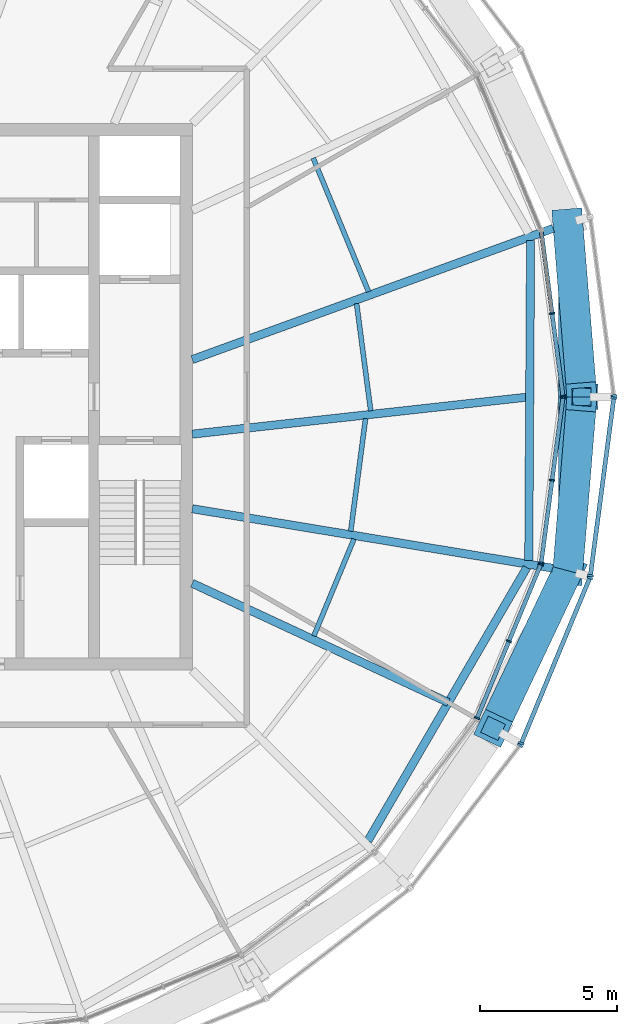
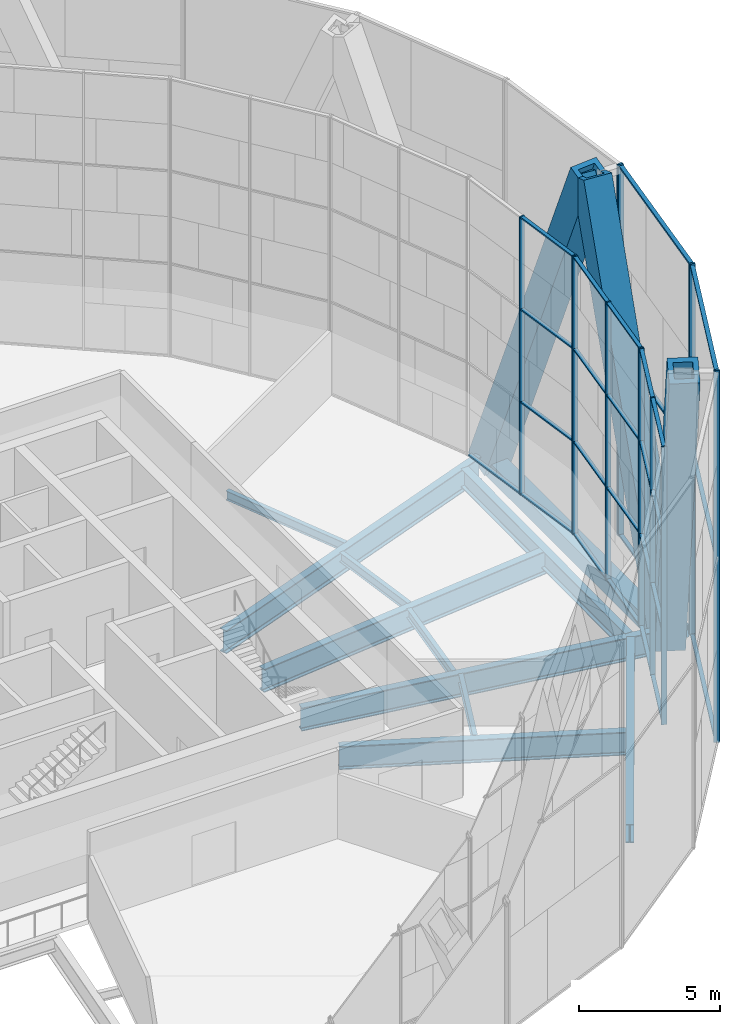
# One storey, part 5 of 26: 44 members, 11 beams, 7 elements without a shape of their own.
"""IFC4 building model written with IfcOpenShell, lengths in metres."""

from ifc_helpers import new_model, si_unit, direction, frame, origin, origin_2d, place, context, subcontext, project, spatial, rectangle, hollow_rectangle, i_section, extrude, material, material_profile, profile_set, type_object, element, aggregate, save


model = new_model("IFC4")

# Units and contexts
model_context = context("Model", 3, precision=1e-05, world=origin(), true_north=direction((0.0, 1.0)))
body_context = subcontext(model_context, "Body", "Model", "MODEL_VIEW")
ifc_project = project(units=[si_unit("LENGTHUNIT", "METRE"), si_unit("AREAUNIT", "SQUARE_METRE"), si_unit("VOLUMEUNIT", "CUBIC_METRE"), si_unit("PLANEANGLEUNIT", "RADIAN"), si_unit("MASSUNIT", "GRAM", prefix="KILO")], contexts=[model_context])

# Site, building, storey
site_placement = place(None, origin())
site = spatial("IfcSite", under=ifc_project, at=site_placement, CompositionType="ELEMENT")
building_placement = place(site_placement, origin())
building = spatial("IfcBuilding", under=site, at=building_placement, Name="Golbaran Civic Tower", CompositionType="ELEMENT")
storey_placement = place(building_placement, frame((0.0, 0.0, 199.0)))
storey = spatial("IfcBuildingStorey", under=building, at=storey_placement, Name="L48", CompositionType="ELEMENT", Elevation=199.0)

# Members
ifc_material_1 = material(Name="Steel S355", Category="steel")
ifc_material_profile_1 = material_profile(ifc_material_1, hollow_rectangle(XDim=1.10009765625, YDim=1.10009765625, WallThickness=0.199951171875, at=origin_2d()), Name="BOX 1100x1100x200")
ifc_profile_set_1 = profile_set([ifc_material_profile_1], Name="Steel S355")
member_type_1 = type_object("IfcMemberType", Name="DIAGRID DIAGONAL BOX 1100x1100x200", PredefinedType="BRACE", material=ifc_profile_set_1)
for number, where, z_axis, x_axis, name in (
    (1, (23.740478515625, 6.361328125, -0.7099609375), (0.029933086945, -0.369288121894, 0.928832758538), (0.996731046537, 0.080791217773, 0.0), "Diagonal D11-00L L48-L52"),
    (2, (23.740478515625, -6.361328125, -0.7099609375), (0.029933086945, 0.369288121894, 0.928832758538), (-0.996731046537, 0.080791217773, 0.0), "Diagonal D11-11R L48-L52"),
    (3, (23.740478515625, -6.361328125, -0.7099609375), (-0.158722749986, -0.334764832099, 0.92883776615), (0.903581210236, -0.428416849002, 0.0), "Diagonal D11-11L L48-L52"),
):
    element("IfcMember", number, at=place(storey_placement, frame(where, z_axis=z_axis, x_axis=x_axis)), inside=storey, type_object=member_type_1, Name=name, PredefinedType="BRACE", context=body_context, shape_type="SweptSolid", body=[
        extrude(hollow_rectangle(XDim=1.10009765625, YDim=1.10009765625, WallThickness=0.199951171875, at=origin_2d()), origin(), (0.0, 0.0, 1.0), 17.225830078125),
    ])

# Beams
ifc_material_profile_2 = material_profile(ifc_material_1, hollow_rectangle(XDim=0.699951171875, YDim=0.699951171875, WallThickness=0.080078125, at=origin_2d()), Name="BOX 700x700x80")
ifc_profile_set_2 = profile_set([ifc_material_profile_2], Name="Steel S355")
beam_type_1 = type_object("IfcBeamType", Name="DIAGRID RING TIE BOX 700x700x80", PredefinedType="BEAM", material=ifc_profile_set_2)
beam_1_placement = place(storey_placement, frame((23.740478515625, -6.361328125, -0.7099609375), z_axis=(0.0, 1.0, 0.0), x_axis=(-1.0, 0.0, 0.0)))
element("IfcBeam", 4, at=beam_1_placement, inside=storey, type_object=beam_type_1, Name="Ring tie 345.00 L48", PredefinedType="BEAM", context=body_context, shape_type="SweptSolid", body=[
    extrude(hollow_rectangle(XDim=0.699951171875, YDim=0.699951171875, WallThickness=0.080078125, at=origin_2d()), origin(), (0.0, 0.0, 1.0), 12.72265625),
])
ifc_material_profile_3 = material_profile(ifc_material_1, i_section(OverallWidth=0.300048828125, OverallDepth=0.800048828125, WebThickness=0.017578125, FlangeThickness=0.032958984375, FilletRadius=0.030029296875, at=origin_2d()), Name="HEB 800")
ifc_profile_set_3 = profile_set([ifc_material_profile_3], Name="Steel S355")
beam_type_2 = type_object("IfcBeamType", Name="EDGE BEAM HEB 800", PredefinedType="BEAM", material=ifc_profile_set_3)
beam_2_placement = place(storey_placement, frame((16.4267578125, -16.242919921875, -0.60009765625), z_axis=(0.502665587735, 0.864480946526, 0.0), x_axis=(-0.864480946526, 0.502665587735, 0.0)))
element("IfcBeam", 5, at=beam_2_placement, inside=storey, type_object=beam_type_2, Name="Edge beam 315.00 L48", PredefinedType="BEAM", context=body_context, shape_type="SweptSolid", body=[
    extrude(i_section(OverallWidth=0.300048828125, OverallDepth=0.800048828125, WebThickness=0.017578125, FlangeThickness=0.032958984375, FilletRadius=0.030029296875, at=origin_2d()), origin(), (0.0, 0.0, 1.0), 11.564697265625),
])
beam_3_placement = place(storey_placement, frame((22.310546875, -5.993408203125, -0.60009765625), z_axis=(0.005790483854, 0.999983235008, 0.0), x_axis=(-0.999983235008, 0.005790483854, 0.0)))
element("IfcBeam", 6, at=beam_3_placement, inside=storey, type_object=beam_type_2, Name="Edge beam 345.00 L48", PredefinedType="BEAM", context=body_context, shape_type="SweptSolid", body=[
    extrude(i_section(OverallWidth=0.300048828125, OverallDepth=0.800048828125, WebThickness=0.017578125, FlangeThickness=0.032958984375, FilletRadius=0.030029296875, at=origin_2d()), origin(), (0.0, 0.0, 1.0), 11.72119140625),
])
ifc_material_profile_4 = material_profile(ifc_material_1, i_section(OverallWidth=0.179931640625, OverallDepth=0.39990234375, WebThickness=0.008544921875, FlangeThickness=0.013427734375, FilletRadius=0.02099609375, at=origin_2d()), Name="IPE 400")
ifc_profile_set_4 = profile_set([ifc_material_profile_4], Name="Steel S355")
beam_type_3 = type_object("IfcBeamType", Name="FLOOR INFILL BEAM IPE 400", PredefinedType="BEAM", material=ifc_profile_set_4)
beam_4_placement = place(storey_placement, frame((16.529052734375, -0.511962890625, -0.39990234375), z_axis=(-0.130515142756, 0.991446316001, 0.0), x_axis=(-0.991446316001, -0.130515142756, 0.0)))
element("IfcBeam", 7, at=beam_4_placement, inside=storey, type_object=beam_type_3, Name="Infill beam 7.50 L48", PredefinedType="BEAM", context=body_context, shape_type="SweptSolid", body=[
    extrude(i_section(OverallWidth=0.179931640625, OverallDepth=0.39990234375, WebThickness=0.008544921875, FlangeThickness=0.013427734375, FilletRadius=0.02099609375, at=origin_2d()), origin(), (0.0, 0.0, 1.0), 3.958251953125),
])
beam_5_placement = place(storey_placement, frame((16.44921875, 3.847900390625, -0.39990234375), z_axis=(-0.382668310235, 0.923885796157, 0.0), x_axis=(-0.923885796157, -0.382668310235, 0.0)))
element("IfcBeam", 8, at=beam_5_placement, inside=storey, type_object=beam_type_3, Name="Infill beam 22.50 L48", PredefinedType="BEAM", context=body_context, shape_type="SweptSolid", body=[
    extrude(i_section(OverallWidth=0.179931640625, OverallDepth=0.39990234375, WebThickness=0.008544921875, FlangeThickness=0.013427734375, FilletRadius=0.02099609375, at=origin_2d()), origin(), (0.0, 0.0, 1.0), 5.291015625),
])
beam_6_placement = place(storey_placement, frame((14.44775390625, -8.748291015625, -0.39990234375), z_axis=(0.382645726635, 0.923895149835, 0.0), x_axis=(-0.923895149835, 0.382645726635, 0.0)))
element("IfcBeam", 9, at=beam_6_placement, inside=storey, type_object=beam_type_3, Name="Infill beam 337.50 L48", PredefinedType="BEAM", context=body_context, shape_type="SweptSolid", body=[
    extrude(i_section(OverallWidth=0.179931640625, OverallDepth=0.39990234375, WebThickness=0.008544921875, FlangeThickness=0.013427734375, FilletRadius=0.02099609375, at=origin_2d()), origin(), (0.0, 0.0, 1.0), 3.839111328125),
])
beam_7_placement = place(storey_placement, frame((15.796875, -4.91796875, -0.39990234375), z_axis=(0.130490955472, 0.991449499743, 0.0), x_axis=(-0.991449499743, 0.130490955472, 0.0)))
element("IfcBeam", 10, at=beam_7_placement, inside=storey, type_object=beam_type_3, Name="Infill beam 352.50 L48", PredefinedType="BEAM", context=body_context, shape_type="SweptSolid", body=[
    extrude(i_section(OverallWidth=0.179931640625, OverallDepth=0.39990234375, WebThickness=0.008544921875, FlangeThickness=0.013427734375, FilletRadius=0.02099609375, at=origin_2d()), origin(), (0.0, 0.0, 1.0), 4.1591796875),
])

# Curtain wall, members
ifc_material_2 = material(Name="Aluminium and glass", Category="aluminium")
curtain_wall_type_1 = type_object("IfcCurtainWallType", Name="INNER SKIN CURTAIN WALL EXECUTIVE", PredefinedType="NOTDEFINED", material=ifc_material_2)
curtain_wall_1_placement = place(storey_placement, origin())
curtain_wall_1 = element("IfcCurtainWall", 11, at=curtain_wall_1_placement, inside=storey, type_object=curtain_wall_type_1, Name="Inner skin L48 facet 1 CW2", ObjectType="INNER SKIN", PredefinedType="USERDEFINED")
ifc_material_3 = material(Name="Aluminium", Category="aluminium")
ifc_material_profile_5 = material_profile(ifc_material_3, rectangle(XDim=0.199951171875, YDim=0.06005859375, at=origin_2d()), Name="INNER SKIN CURTAIN WALL EXECUTIVE MULLION")
ifc_profile_set_5 = profile_set([ifc_material_profile_5], Name="Aluminium")
member_type_2 = type_object("IfcMemberType", Name="INNER SKIN CURTAIN WALL EXECUTIVE MULLION", PredefinedType="MULLION", material=ifc_profile_set_5)
member_1_placement = place(storey_placement, frame((23.56298828125, 0.02978515625, 0.0), z_axis=(0.0, 0.0, 1.0), x_axis=(-0.991444861372, -0.130526192237, 0.0)))
member_1 = element("IfcMember", 12, at=member_1_placement, type_object=member_type_2, Name="CW2 mullion 1", PredefinedType="MULLION", context=body_context, shape_type="SweptSolid", body=[
    extrude(rectangle(XDim=0.199951171875, YDim=0.06005859375, at=origin_2d()), origin(), (0.0, 0.0, 1.0), 12.0),
])
member_2_placement = place(storey_placement, frame((23.16552734375, 3.0498046875, 0.0), z_axis=(0.0, 0.0, 1.0), x_axis=(-0.991444861372, -0.130526192237, 0.0)))
member_2 = element("IfcMember", 13, at=member_2_placement, type_object=member_type_2, Name="CW2 mullion 2", PredefinedType="MULLION", context=body_context, shape_type="SweptSolid", body=[
    extrude(rectangle(XDim=0.199951171875, YDim=0.06005859375, at=origin_2d()), origin(), (0.0, 0.0, 1.0), 12.0),
])

curtain_wall_2_placement = place(storey_placement, origin())
curtain_wall_2 = element("IfcCurtainWall", 14, at=curtain_wall_2_placement, inside=storey, type_object=curtain_wall_type_1, Name="Inner skin L48 facet 23 CW2", ObjectType="INNER SKIN", PredefinedType="USERDEFINED")
member_3_placement = place(storey_placement, frame((20.421142578125, -11.755859375, 0.0), z_axis=(0.0, 0.0, 1.0), x_axis=(-0.923879532518, 0.382683432349, 0.0)))
member_3 = element("IfcMember", 15, at=member_3_placement, type_object=member_type_2, Name="CW2 mullion 1", PredefinedType="MULLION", context=body_context, shape_type="SweptSolid", body=[
    extrude(rectangle(XDim=0.199951171875, YDim=0.06005859375, at=origin_2d()), origin(), (0.0, 0.0, 1.0), 12.0),
])
member_4_placement = place(storey_placement, frame((21.5869140625, -8.941650390625, 0.0), z_axis=(0.0, 0.0, 1.0), x_axis=(-0.923879532518, 0.382683432349, 0.0)))
member_4 = element("IfcMember", 16, at=member_4_placement, type_object=member_type_2, Name="CW2 mullion 2", PredefinedType="MULLION", context=body_context, shape_type="SweptSolid", body=[
    extrude(rectangle(XDim=0.199951171875, YDim=0.06005859375, at=origin_2d()), origin(), (0.0, 0.0, 1.0), 12.0),
])
member_5_placement = place(storey_placement, frame((22.75244140625, -6.127197265625, 0.0), z_axis=(0.0, 0.0, 1.0), x_axis=(-0.923879532518, 0.382683432349, 0.0)))
member_5 = element("IfcMember", 17, at=member_5_placement, type_object=member_type_2, Name="CW2 mullion 3", PredefinedType="MULLION", context=body_context, shape_type="SweptSolid", body=[
    extrude(rectangle(XDim=0.199951171875, YDim=0.06005859375, at=origin_2d()), origin(), (0.0, 0.0, 1.0), 12.0),
])

curtain_wall_3_placement = place(storey_placement, origin())
curtain_wall_3 = element("IfcCurtainWall", 18, at=curtain_wall_3_placement, inside=storey, type_object=curtain_wall_type_1, Name="Inner skin L48 facet 24 CW2", ObjectType="INNER SKIN", PredefinedType="USERDEFINED")
member_6_placement = place(storey_placement, frame((22.767822265625, -6.06982421875, 0.0), z_axis=(0.0, 0.0, 1.0), x_axis=(-0.991444861372, 0.130526192237, 0.0)))
member_6 = element("IfcMember", 19, at=member_6_placement, type_object=member_type_2, Name="CW2 mullion 1", PredefinedType="MULLION", context=body_context, shape_type="SweptSolid", body=[
    extrude(rectangle(XDim=0.199951171875, YDim=0.06005859375, at=origin_2d()), origin(), (0.0, 0.0, 1.0), 12.0),
])
member_7_placement = place(storey_placement, frame((23.16552734375, -3.0498046875, 0.0), z_axis=(0.0, 0.0, 1.0), x_axis=(-0.991444861372, 0.130526192237, 0.0)))
member_7 = element("IfcMember", 20, at=member_7_placement, type_object=member_type_2, Name="CW2 mullion 2", PredefinedType="MULLION", context=body_context, shape_type="SweptSolid", body=[
    extrude(rectangle(XDim=0.199951171875, YDim=0.06005859375, at=origin_2d()), origin(), (0.0, 0.0, 1.0), 12.0),
])
member_8_placement = place(storey_placement, frame((23.56298828125, -0.02978515625, 0.0), z_axis=(0.0, 0.0, 1.0), x_axis=(-0.991444861372, 0.130526192237, 0.0)))
member_8 = element("IfcMember", 21, at=member_8_placement, type_object=member_type_2, Name="CW2 mullion 3", PredefinedType="MULLION", context=body_context, shape_type="SweptSolid", body=[
    extrude(rectangle(XDim=0.199951171875, YDim=0.06005859375, at=origin_2d()), origin(), (0.0, 0.0, 1.0), 12.0),
])

# Member
ifc_material_profile_6 = material_profile(ifc_material_3, rectangle(XDim=0.14990234375, YDim=0.06005859375, at=origin_2d()), Name="INNER SKIN CURTAIN WALL EXECUTIVE TRANSOM")
ifc_profile_set_6 = profile_set([ifc_material_profile_6], Name="Aluminium")
member_type_3 = type_object("IfcMemberType", Name="INNER SKIN CURTAIN WALL EXECUTIVE TRANSOM", PredefinedType="USERDEFINED", material=ifc_profile_set_6)
member_9_placement = place(storey_placement, frame((23.55908203125, 0.0595703125, 0.030029296875), z_axis=(-0.130492582858, 0.991449285551, 0.0), x_axis=(-0.991449285551, -0.130492582858, 0.0)))
member_9 = element("IfcMember", 22, at=member_9_placement, type_object=member_type_3, Name="CW2 transom 1.1", ObjectType="TRANSOM", PredefinedType="USERDEFINED", context=body_context, shape_type="SweptSolid", body=[
    extrude(rectangle(XDim=0.14990234375, YDim=0.06005859375, at=origin_2d()), origin(), (0.0, 0.0, 1.0), 2.986083984375),
])

member_10_placement = place(storey_placement, frame((23.55908203125, 0.0595703125, 4.0), z_axis=(-0.130492582858, 0.991449285551, 0.0), x_axis=(-0.991449285551, -0.130492582858, 0.0)))
member_10 = element("IfcMember", 23, at=member_10_placement, type_object=member_type_3, Name="CW2 transom 1.2", ObjectType="TRANSOM", PredefinedType="USERDEFINED", context=body_context, shape_type="SweptSolid", body=[
    extrude(rectangle(XDim=0.14990234375, YDim=0.06005859375, at=origin_2d()), origin(), (0.0, 0.0, 1.0), 2.986083984375),
])

member_11_placement = place(storey_placement, frame((23.55908203125, 0.0595703125, 8.0), z_axis=(-0.130492582858, 0.991449285551, 0.0), x_axis=(-0.991449285551, -0.130492582858, 0.0)))
member_11 = element("IfcMember", 24, at=member_11_placement, type_object=member_type_3, Name="CW2 transom 1.3", ObjectType="TRANSOM", PredefinedType="USERDEFINED", context=body_context, shape_type="SweptSolid", body=[
    extrude(rectangle(XDim=0.14990234375, YDim=0.06005859375, at=origin_2d()), origin(), (0.0, 0.0, 1.0), 2.986083984375),
])

member_12_placement = place(storey_placement, frame((23.55908203125, 0.0595703125, 11.969970703125), z_axis=(-0.130492582858, 0.991449285551, 0.0), x_axis=(-0.991449285551, -0.130492582858, 0.0)))
member_12 = element("IfcMember", 25, at=member_12_placement, type_object=member_type_3, Name="CW2 transom 1.4", ObjectType="TRANSOM", PredefinedType="USERDEFINED", context=body_context, shape_type="SweptSolid", body=[
    extrude(rectangle(XDim=0.14990234375, YDim=0.06005859375, at=origin_2d()), origin(), (0.0, 0.0, 1.0), 2.986083984375),
])

member_13_placement = place(storey_placement, frame((23.16162109375, 3.07958984375, 0.030029296875), z_axis=(-0.130572951568, 0.991438704267, 0.0), x_axis=(-0.991438704267, -0.130572951568, 0.0)))
member_13 = element("IfcMember", 26, at=member_13_placement, type_object=member_type_3, Name="CW2 transom 2.1", ObjectType="TRANSOM", PredefinedType="USERDEFINED", context=body_context, shape_type="SweptSolid", body=[
    extrude(rectangle(XDim=0.14990234375, YDim=0.06005859375, at=origin_2d()), origin(), (0.0, 0.0, 1.0), 2.986083984375),
])

aggregate(curtain_wall_1, [member_1, member_2, member_9, member_10, member_11, member_12, member_13])

member_14_placement = place(storey_placement, frame((20.4326171875, -11.72802734375, 0.030029296875), z_axis=(0.382640634603, 0.923897258763, 0.0), x_axis=(-0.923897258763, 0.382640634603, 0.0)))
member_14 = element("IfcMember", 27, at=member_14_placement, type_object=member_type_3, Name="CW2 transom 1.1", ObjectType="TRANSOM", PredefinedType="USERDEFINED", context=body_context, shape_type="SweptSolid", body=[
    extrude(rectangle(XDim=0.14990234375, YDim=0.06005859375, at=origin_2d()), origin(), (0.0, 0.0, 1.0), 2.986083984375),
])

member_15_placement = place(storey_placement, frame((20.4326171875, -11.72802734375, 4.0), z_axis=(0.382640634603, 0.923897258763, 0.0), x_axis=(-0.923897258763, 0.382640634603, 0.0)))
member_15 = element("IfcMember", 28, at=member_15_placement, type_object=member_type_3, Name="CW2 transom 1.2", ObjectType="TRANSOM", PredefinedType="USERDEFINED", context=body_context, shape_type="SweptSolid", body=[
    extrude(rectangle(XDim=0.14990234375, YDim=0.06005859375, at=origin_2d()), origin(), (0.0, 0.0, 1.0), 2.986083984375),
])

member_16_placement = place(storey_placement, frame((20.4326171875, -11.72802734375, 8.0), z_axis=(0.382640634603, 0.923897258763, 0.0), x_axis=(-0.923897258763, 0.382640634603, 0.0)))
member_16 = element("IfcMember", 29, at=member_16_placement, type_object=member_type_3, Name="CW2 transom 1.3", ObjectType="TRANSOM", PredefinedType="USERDEFINED", context=body_context, shape_type="SweptSolid", body=[
    extrude(rectangle(XDim=0.14990234375, YDim=0.06005859375, at=origin_2d()), origin(), (0.0, 0.0, 1.0), 2.986083984375),
])

member_17_placement = place(storey_placement, frame((20.4326171875, -11.72802734375, 11.969970703125), z_axis=(0.382640634603, 0.923897258763, 0.0), x_axis=(-0.923897258763, 0.382640634603, 0.0)))
member_17 = element("IfcMember", 30, at=member_17_placement, type_object=member_type_3, Name="CW2 transom 1.4", ObjectType="TRANSOM", PredefinedType="USERDEFINED", context=body_context, shape_type="SweptSolid", body=[
    extrude(rectangle(XDim=0.14990234375, YDim=0.06005859375, at=origin_2d()), origin(), (0.0, 0.0, 1.0), 2.986083984375),
])

member_18_placement = place(storey_placement, frame((21.598388671875, -8.913818359375, 0.030029296875), z_axis=(0.382640634603, 0.923897258763, 0.0), x_axis=(-0.923897258763, 0.382640634603, 0.0)))
member_18 = element("IfcMember", 31, at=member_18_placement, type_object=member_type_3, Name="CW2 transom 2.1", ObjectType="TRANSOM", PredefinedType="USERDEFINED", context=body_context, shape_type="SweptSolid", body=[
    extrude(rectangle(XDim=0.14990234375, YDim=0.06005859375, at=origin_2d()), origin(), (0.0, 0.0, 1.0), 2.986083984375),
])

member_19_placement = place(storey_placement, frame((21.598388671875, -8.913818359375, 4.0), z_axis=(0.382640634603, 0.923897258763, 0.0), x_axis=(-0.923897258763, 0.382640634603, 0.0)))
member_19 = element("IfcMember", 32, at=member_19_placement, type_object=member_type_3, Name="CW2 transom 2.2", ObjectType="TRANSOM", PredefinedType="USERDEFINED", context=body_context, shape_type="SweptSolid", body=[
    extrude(rectangle(XDim=0.14990234375, YDim=0.06005859375, at=origin_2d()), origin(), (0.0, 0.0, 1.0), 2.986083984375),
])

member_20_placement = place(storey_placement, frame((21.598388671875, -8.913818359375, 8.0), z_axis=(0.382640634603, 0.923897258763, 0.0), x_axis=(-0.923897258763, 0.382640634603, 0.0)))
member_20 = element("IfcMember", 33, at=member_20_placement, type_object=member_type_3, Name="CW2 transom 2.3", ObjectType="TRANSOM", PredefinedType="USERDEFINED", context=body_context, shape_type="SweptSolid", body=[
    extrude(rectangle(XDim=0.14990234375, YDim=0.06005859375, at=origin_2d()), origin(), (0.0, 0.0, 1.0), 2.986083984375),
])

member_21_placement = place(storey_placement, frame((21.598388671875, -8.913818359375, 11.969970703125), z_axis=(0.382640634603, 0.923897258763, 0.0), x_axis=(-0.923897258763, 0.382640634603, 0.0)))
member_21 = element("IfcMember", 34, at=member_21_placement, type_object=member_type_3, Name="CW2 transom 2.4", ObjectType="TRANSOM", PredefinedType="USERDEFINED", context=body_context, shape_type="SweptSolid", body=[
    extrude(rectangle(XDim=0.14990234375, YDim=0.06005859375, at=origin_2d()), origin(), (0.0, 0.0, 1.0), 2.986083984375),
])

aggregate(curtain_wall_2, [member_3, member_4, member_5, member_14, member_15, member_16, member_17, member_18, member_19, member_20, member_21])

member_22_placement = place(storey_placement, frame((22.771728515625, -6.0400390625, 0.030029296875), z_axis=(0.130572951568, 0.991438704267, 0.0), x_axis=(-0.991438704267, 0.130572951568, 0.0)))
member_22 = element("IfcMember", 35, at=member_22_placement, type_object=member_type_3, Name="CW2 transom 1.1", ObjectType="TRANSOM", PredefinedType="USERDEFINED", context=body_context, shape_type="SweptSolid", body=[
    extrude(rectangle(XDim=0.14990234375, YDim=0.06005859375, at=origin_2d()), origin(), (0.0, 0.0, 1.0), 2.986083984375),
])

member_23_placement = place(storey_placement, frame((22.771728515625, -6.0400390625, 4.0), z_axis=(0.130572951568, 0.991438704267, 0.0), x_axis=(-0.991438704267, 0.130572951568, 0.0)))
member_23 = element("IfcMember", 36, at=member_23_placement, type_object=member_type_3, Name="CW2 transom 1.2", ObjectType="TRANSOM", PredefinedType="USERDEFINED", context=body_context, shape_type="SweptSolid", body=[
    extrude(rectangle(XDim=0.14990234375, YDim=0.06005859375, at=origin_2d()), origin(), (0.0, 0.0, 1.0), 2.986083984375),
])

member_24_placement = place(storey_placement, frame((22.771728515625, -6.0400390625, 8.0), z_axis=(0.130572951568, 0.991438704267, 0.0), x_axis=(-0.991438704267, 0.130572951568, 0.0)))
member_24 = element("IfcMember", 37, at=member_24_placement, type_object=member_type_3, Name="CW2 transom 1.3", ObjectType="TRANSOM", PredefinedType="USERDEFINED", context=body_context, shape_type="SweptSolid", body=[
    extrude(rectangle(XDim=0.14990234375, YDim=0.06005859375, at=origin_2d()), origin(), (0.0, 0.0, 1.0), 2.986083984375),
])

member_25_placement = place(storey_placement, frame((22.771728515625, -6.0400390625, 11.969970703125), z_axis=(0.130572951568, 0.991438704267, 0.0), x_axis=(-0.991438704267, 0.130572951568, 0.0)))
member_25 = element("IfcMember", 38, at=member_25_placement, type_object=member_type_3, Name="CW2 transom 1.4", ObjectType="TRANSOM", PredefinedType="USERDEFINED", context=body_context, shape_type="SweptSolid", body=[
    extrude(rectangle(XDim=0.14990234375, YDim=0.06005859375, at=origin_2d()), origin(), (0.0, 0.0, 1.0), 2.986083984375),
])

member_26_placement = place(storey_placement, frame((23.16943359375, -3.02001953125, 0.030029296875), z_axis=(0.130492582858, 0.991449285551, 0.0), x_axis=(-0.991449285551, 0.130492582858, 0.0)))
member_26 = element("IfcMember", 39, at=member_26_placement, type_object=member_type_3, Name="CW2 transom 2.1", ObjectType="TRANSOM", PredefinedType="USERDEFINED", context=body_context, shape_type="SweptSolid", body=[
    extrude(rectangle(XDim=0.14990234375, YDim=0.06005859375, at=origin_2d()), origin(), (0.0, 0.0, 1.0), 2.986083984375),
])

member_27_placement = place(storey_placement, frame((23.16943359375, -3.02001953125, 4.0), z_axis=(0.130492582858, 0.991449285551, 0.0), x_axis=(-0.991449285551, 0.130492582858, 0.0)))
member_27 = element("IfcMember", 40, at=member_27_placement, type_object=member_type_3, Name="CW2 transom 2.2", ObjectType="TRANSOM", PredefinedType="USERDEFINED", context=body_context, shape_type="SweptSolid", body=[
    extrude(rectangle(XDim=0.14990234375, YDim=0.06005859375, at=origin_2d()), origin(), (0.0, 0.0, 1.0), 2.986083984375),
])

member_28_placement = place(storey_placement, frame((23.16943359375, -3.02001953125, 8.0), z_axis=(0.130492582858, 0.991449285551, 0.0), x_axis=(-0.991449285551, 0.130492582858, 0.0)))
member_28 = element("IfcMember", 41, at=member_28_placement, type_object=member_type_3, Name="CW2 transom 2.3", ObjectType="TRANSOM", PredefinedType="USERDEFINED", context=body_context, shape_type="SweptSolid", body=[
    extrude(rectangle(XDim=0.14990234375, YDim=0.06005859375, at=origin_2d()), origin(), (0.0, 0.0, 1.0), 2.986083984375),
])

member_29_placement = place(storey_placement, frame((23.16943359375, -3.02001953125, 11.969970703125), z_axis=(0.130492582858, 0.991449285551, 0.0), x_axis=(-0.991449285551, 0.130492582858, 0.0)))
member_29 = element("IfcMember", 42, at=member_29_placement, type_object=member_type_3, Name="CW2 transom 2.4", ObjectType="TRANSOM", PredefinedType="USERDEFINED", context=body_context, shape_type="SweptSolid", body=[
    extrude(rectangle(XDim=0.14990234375, YDim=0.06005859375, at=origin_2d()), origin(), (0.0, 0.0, 1.0), 2.986083984375),
])

aggregate(curtain_wall_3, [member_6, member_7, member_8, member_22, member_23, member_24, member_25, member_26, member_27, member_28, member_29])

# Curtain wall, member
curtain_wall_type_2 = type_object("IfcCurtainWallType", Name="OUTER SKIN TERRACOTTA SCREEN", PredefinedType="NOTDEFINED", material=ifc_material_2)
curtain_wall_4_placement = place(storey_placement, origin())
curtain_wall_4 = element("IfcCurtainWall", 43, at=curtain_wall_4_placement, inside=storey, type_object=curtain_wall_type_2, Name="Outer skin L48 facet 1 CW3", ObjectType="OUTER SKIN", PredefinedType="USERDEFINED")
ifc_material_profile_7 = material_profile(ifc_material_3, rectangle(XDim=0.219970703125, YDim=0.080078125, at=origin_2d()), Name="OUTER SKIN TERRACOTTA SCREEN MULLION")
ifc_profile_set_7 = profile_set([ifc_material_profile_7], Name="Aluminium")
member_type_4 = type_object("IfcMemberType", Name="OUTER SKIN TERRACOTTA SCREEN MULLION", PredefinedType="MULLION", material=ifc_profile_set_7)
member_30_placement = place(storey_placement, frame((25.4228515625, 0.03955078125, -0.7099609375), z_axis=(0.0, 0.0, 1.0), x_axis=(-0.991444861376, -0.130526192203, 0.0)))
member_30 = element("IfcMember", 44, at=member_30_placement, type_object=member_type_4, Name="CW3 mullion 1", PredefinedType="MULLION", context=body_context, shape_type="SweptSolid", body=[
    extrude(rectangle(XDim=0.219970703125, YDim=0.080078125, at=origin_2d()), origin(), (0.0, 0.0, 1.0), 16.0),
])
aggregate(curtain_wall_4, [member_30])

curtain_wall_5_placement = place(storey_placement, origin())
curtain_wall_5 = element("IfcCurtainWall", 45, at=curtain_wall_5_placement, inside=storey, type_object=curtain_wall_type_2, Name="Outer skin L48 facet 22 CW3", ObjectType="OUTER SKIN", PredefinedType="USERDEFINED")
member_31_placement = place(storey_placement, frame((21.996826171875, -12.745849609375, -0.7099609375), z_axis=(0.0, 0.0, 1.0), x_axis=(-0.793353340323, 0.608761428967, 0.0)))
member_31 = element("IfcMember", 46, at=member_31_placement, type_object=member_type_4, Name="CW3 mullion 2", PredefinedType="MULLION", context=body_context, shape_type="SweptSolid", body=[
    extrude(rectangle(XDim=0.219970703125, YDim=0.080078125, at=origin_2d()), origin(), (0.0, 0.0, 1.0), 16.0),
])
aggregate(curtain_wall_5, [member_31])

# Curtain wall, members
curtain_wall_6_placement = place(storey_placement, origin())
curtain_wall_6 = element("IfcCurtainWall", 47, at=curtain_wall_6_placement, inside=storey, type_object=curtain_wall_type_2, Name="Outer skin L48 facet 23 CW3", ObjectType="OUTER SKIN", PredefinedType="USERDEFINED")
member_32_placement = place(storey_placement, frame((22.03662109375, -12.677001953125, -0.7099609375), z_axis=(0.0, 0.0, 1.0), x_axis=(-0.923879532478, 0.382683432446, 0.0)))
member_32 = element("IfcMember", 48, at=member_32_placement, type_object=member_type_4, Name="CW3 mullion 1", PredefinedType="MULLION", context=body_context, shape_type="SweptSolid", body=[
    extrude(rectangle(XDim=0.219970703125, YDim=0.080078125, at=origin_2d()), origin(), (0.0, 0.0, 1.0), 16.0),
])
member_33_placement = place(storey_placement, frame((24.546142578125, -6.6181640625, -0.7099609375), z_axis=(0.0, 0.0, 1.0), x_axis=(-0.923879532478, 0.382683432446, 0.0)))
member_33 = element("IfcMember", 49, at=member_33_placement, type_object=member_type_4, Name="CW3 mullion 2", PredefinedType="MULLION", context=body_context, shape_type="SweptSolid", body=[
    extrude(rectangle(XDim=0.219970703125, YDim=0.080078125, at=origin_2d()), origin(), (0.0, 0.0, 1.0), 16.0),
])

curtain_wall_7_placement = place(storey_placement, origin())
curtain_wall_7 = element("IfcCurtainWall", 50, at=curtain_wall_7_placement, inside=storey, type_object=curtain_wall_type_2, Name="Outer skin L48 facet 24 CW3", ObjectType="OUTER SKIN", PredefinedType="USERDEFINED")
member_34_placement = place(storey_placement, frame((24.56689453125, -6.54150390625, -0.7099609375), z_axis=(0.0, 0.0, 1.0), x_axis=(-0.991444861376, 0.130526192203, 0.0)))
member_34 = element("IfcMember", 51, at=member_34_placement, type_object=member_type_4, Name="CW3 mullion 1", PredefinedType="MULLION", context=body_context, shape_type="SweptSolid", body=[
    extrude(rectangle(XDim=0.219970703125, YDim=0.080078125, at=origin_2d()), origin(), (0.0, 0.0, 1.0), 16.0),
])
member_35_placement = place(storey_placement, frame((25.4228515625, -0.03955078125, -0.7099609375), z_axis=(0.0, 0.0, 1.0), x_axis=(-0.991444861376, 0.130526192203, 0.0)))
member_35 = element("IfcMember", 52, at=member_35_placement, type_object=member_type_4, Name="CW3 mullion 2", PredefinedType="MULLION", context=body_context, shape_type="SweptSolid", body=[
    extrude(rectangle(XDim=0.219970703125, YDim=0.080078125, at=origin_2d()), origin(), (0.0, 0.0, 1.0), 16.0),
])

# Member
ifc_material_profile_8 = material_profile(ifc_material_3, rectangle(XDim=0.159912109375, YDim=0.080078125, at=origin_2d()), Name="OUTER SKIN TERRACOTTA SCREEN TRANSOM")
ifc_profile_set_8 = profile_set([ifc_material_profile_8], Name="Aluminium")
member_type_5 = type_object("IfcMemberType", Name="OUTER SKIN TERRACOTTA SCREEN TRANSOM", PredefinedType="USERDEFINED", material=ifc_profile_set_8)
member_36_placement = place(storey_placement, frame((22.052001953125, -12.64013671875, -0.669921875), z_axis=(0.382682426517, 0.923879949147, 0.0), x_axis=(-0.923879949147, 0.382682426517, 0.0)))
member_36 = element("IfcMember", 53, at=member_36_placement, type_object=member_type_5, Name="CW3 transom 1.1", ObjectType="TRANSOM", PredefinedType="USERDEFINED", context=body_context, shape_type="SweptSolid", body=[
    extrude(rectangle(XDim=0.159912109375, YDim=0.080078125, at=origin_2d()), origin(), (0.0, 0.0, 1.0), 6.47802734375),
])

member_37_placement = place(storey_placement, frame((22.052001953125, -12.64013671875, 7.2900390625), z_axis=(0.382682426517, 0.923879949147, 0.0), x_axis=(-0.923879949147, 0.382682426517, 0.0)))
member_37 = element("IfcMember", 54, at=member_37_placement, type_object=member_type_5, Name="CW3 transom 1.2", ObjectType="TRANSOM", PredefinedType="USERDEFINED", context=body_context, shape_type="SweptSolid", body=[
    extrude(rectangle(XDim=0.159912109375, YDim=0.080078125, at=origin_2d()), origin(), (0.0, 0.0, 1.0), 6.47802734375),
])

member_38_placement = place(storey_placement, frame((22.052001953125, -12.64013671875, 15.25), z_axis=(0.382682426517, 0.923879949147, 0.0), x_axis=(-0.923879949147, 0.382682426517, 0.0)))
member_38 = element("IfcMember", 55, at=member_38_placement, type_object=member_type_5, Name="CW3 transom 1.3", ObjectType="TRANSOM", PredefinedType="USERDEFINED", context=body_context, shape_type="SweptSolid", body=[
    extrude(rectangle(XDim=0.159912109375, YDim=0.080078125, at=origin_2d()), origin(), (0.0, 0.0, 1.0), 6.47802734375),
])

aggregate(curtain_wall_6, [member_32, member_33, member_36, member_37, member_38])

member_39_placement = place(storey_placement, frame((24.572021484375, -6.501953125, -0.669921875), z_axis=(0.130512031424, 0.991446725575, 0.0), x_axis=(-0.991446725575, 0.130512031424, 0.0)))
member_39 = element("IfcMember", 56, at=member_39_placement, type_object=member_type_5, Name="CW3 transom 1.1", ObjectType="TRANSOM", PredefinedType="USERDEFINED", context=body_context, shape_type="SweptSolid", body=[
    extrude(rectangle(XDim=0.159912109375, YDim=0.080078125, at=origin_2d()), origin(), (0.0, 0.0, 1.0), 6.47802734375),
])

member_40_placement = place(storey_placement, frame((24.572021484375, -6.501953125, 7.2900390625), z_axis=(0.130512031424, 0.991446725575, 0.0), x_axis=(-0.991446725575, 0.130512031424, 0.0)))
member_40 = element("IfcMember", 57, at=member_40_placement, type_object=member_type_5, Name="CW3 transom 1.2", ObjectType="TRANSOM", PredefinedType="USERDEFINED", context=body_context, shape_type="SweptSolid", body=[
    extrude(rectangle(XDim=0.159912109375, YDim=0.080078125, at=origin_2d()), origin(), (0.0, 0.0, 1.0), 6.47802734375),
])

member_41_placement = place(storey_placement, frame((24.572021484375, -6.501953125, 15.25), z_axis=(0.130512031424, 0.991446725575, 0.0), x_axis=(-0.991446725575, 0.130512031424, 0.0)))
member_41 = element("IfcMember", 58, at=member_41_placement, type_object=member_type_5, Name="CW3 transom 1.3", ObjectType="TRANSOM", PredefinedType="USERDEFINED", context=body_context, shape_type="SweptSolid", body=[
    extrude(rectangle(XDim=0.159912109375, YDim=0.080078125, at=origin_2d()), origin(), (0.0, 0.0, 1.0), 6.47802734375),
])

aggregate(curtain_wall_7, [member_34, member_35, member_39, member_40, member_41])

# Beams
ifc_material_profile_9 = material_profile(ifc_material_1, i_section(OverallWidth=0.300048828125, OverallDepth=1.0, WebThickness=0.01904296875, FlangeThickness=0.035888671875, FilletRadius=0.030029296875, at=origin_2d()), Name="HEB 1000")
ifc_profile_set_9 = profile_set([ifc_material_profile_9], Name="Steel S355")
beam_type_4 = type_object("IfcBeamType", Name="RADIAL FLOOR BEAM HEB 1000", PredefinedType="BEAM", material=ifc_profile_set_9)
beam_8_placement = place(storey_placement, frame((10.0, 1.3642578125, -0.7099609375), z_axis=(0.93978581343, 0.341763990022, 0.0), x_axis=(-0.341763990022, 0.93978581343, 0.0)))
element("IfcBeam", 59, at=beam_8_placement, inside=storey, type_object=beam_type_4, Name="Radial beam 15.00 L48", PredefinedType="BEAM", context=body_context, shape_type="SweptSolid", body=[
    extrude(i_section(OverallWidth=0.300048828125, OverallDepth=1.0, WebThickness=0.01904296875, FlangeThickness=0.035888671875, FilletRadius=0.030029296875, at=origin_2d()), origin(), (0.0, 0.0, 1.0), 14.050537109375),
])
beam_9_placement = place(storey_placement, frame((10.0, -4.0927734375, -0.7099609375), z_axis=(0.986644266312, -0.162889814761, 0.0), x_axis=(0.162889814761, 0.986644266312, 0.0)))
element("IfcBeam", 60, at=beam_9_placement, inside=storey, type_object=beam_type_4, Name="Radial beam 345.00 L48", PredefinedType="BEAM", context=body_context, shape_type="SweptSolid", body=[
    extrude(i_section(OverallWidth=0.300048828125, OverallDepth=1.0, WebThickness=0.01904296875, FlangeThickness=0.035888671875, FilletRadius=0.030029296875, at=origin_2d()), origin(), (0.0, 0.0, 1.0), 13.3544921875),
])
ifc_material_profile_10 = material_profile(ifc_material_1, i_section(OverallWidth=0.300048828125, OverallDepth=1.0, WebThickness=0.01904296875, FlangeThickness=0.035888671875, FilletRadius=0.030029296875, at=origin_2d()), Name="HEB 1000")
ifc_profile_set_10 = profile_set([ifc_material_profile_10], Name="Steel S355")
beam_type_5 = type_object("IfcBeamType", Name="SECONDARY FLOOR BEAM HEB 1000", PredefinedType="BEAM", material=ifc_profile_set_10)
beam_10_placement = place(storey_placement, frame((10.0, -1.3642578125, -0.7099609375), z_axis=(0.993949240267, 0.109840374058, 0.0), x_axis=(-0.109840374058, 0.993949240267, 0.0)))
element("IfcBeam", 61, at=beam_10_placement, inside=storey, type_object=beam_type_5, Name="Secondary beam 0.00 L48", PredefinedType="BEAM", context=body_context, shape_type="SweptSolid", body=[
    extrude(i_section(OverallWidth=0.300048828125, OverallDepth=1.0, WebThickness=0.01904296875, FlangeThickness=0.035888671875, FilletRadius=0.030029296875, at=origin_2d()), origin(), (0.0, 0.0, 1.0), 12.42041015625),
])
beam_11_placement = place(storey_placement, frame((10.0, -6.821533203125, -0.7099609375), z_axis=(0.906597332729, -0.421996772841, 0.0), x_axis=(0.421996772841, 0.906597332729, 0.0)))
element("IfcBeam", 62, at=beam_11_placement, inside=storey, type_object=beam_type_5, Name="Secondary beam 330.00 L48", PredefinedType="BEAM", context=body_context, shape_type="SweptSolid", body=[
    extrude(i_section(OverallWidth=0.300048828125, OverallDepth=1.0, WebThickness=0.01904296875, FlangeThickness=0.035888671875, FilletRadius=0.030029296875, at=origin_2d()), origin(), (0.0, 0.0, 1.0), 10.33447265625),
])

save(model, "model.ifc")
